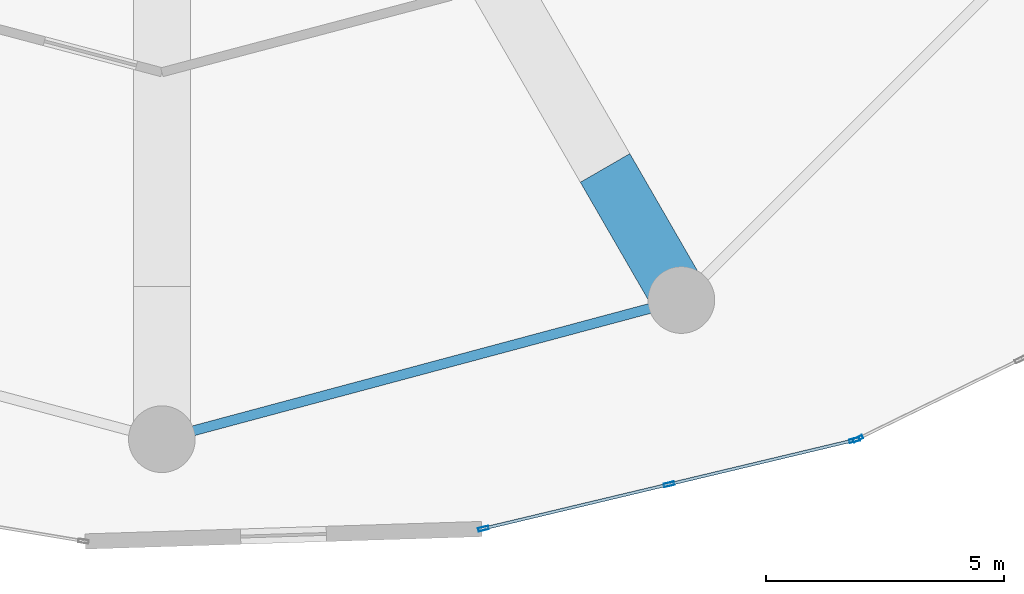
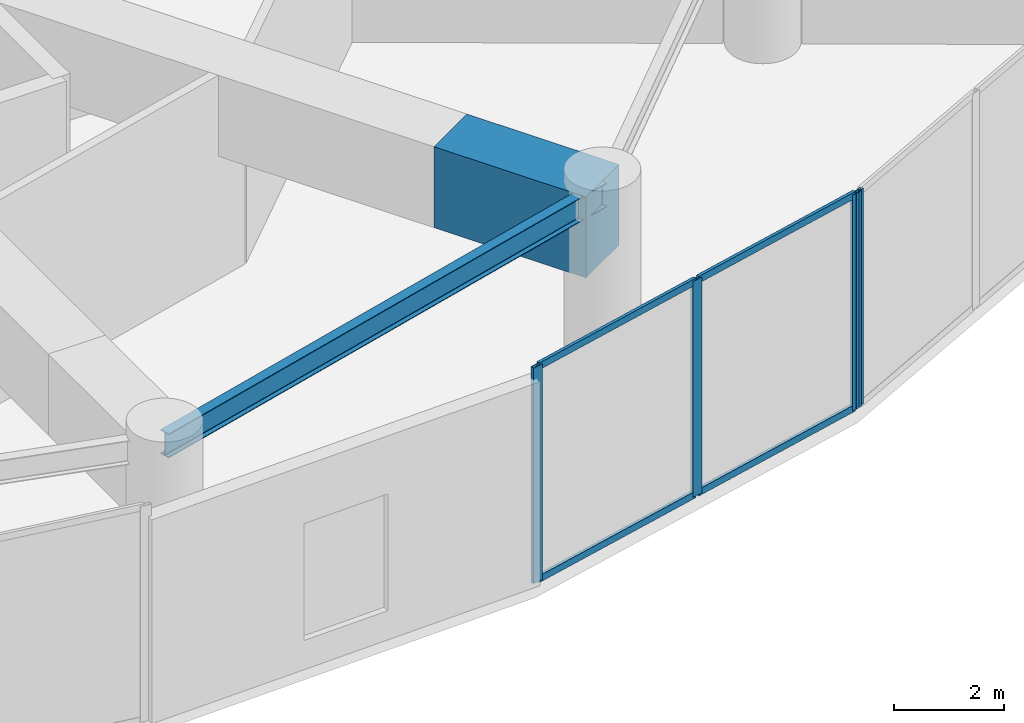
# One storey, part 9 of 27: 8 members, 2 beams, 2 elements without a shape of their own.
"""IFC4 building model written with IfcOpenShell, lengths in metres."""

from ifc_helpers import new_model, si_unit, direction, frame, origin, origin_2d, place, context, subcontext, project, spatial, rectangle, hollow_rectangle, i_section, extrude, source, transform, mapped, material, layer, layer_set, material_profile, profile_set, type_object, element, aggregate, save


model = new_model("IFC4")

# Units and contexts
model_context = context("Model", 3, precision=1e-05, world=origin(), true_north=direction((0.0, 1.0)))
body_context = subcontext(model_context, "Body", "Model", "MODEL_VIEW")
ifc_project = project(units=[si_unit("LENGTHUNIT", "METRE"), si_unit("AREAUNIT", "SQUARE_METRE"), si_unit("VOLUMEUNIT", "CUBIC_METRE"), si_unit("PLANEANGLEUNIT", "RADIAN"), si_unit("MASSUNIT", "GRAM", prefix="KILO")], contexts=[model_context])

# Site, building, storey
site_placement = place(None, origin())
site = spatial("IfcSite", under=ifc_project, at=site_placement, CompositionType="ELEMENT")
building_placement = place(site_placement, origin())
building = spatial("IfcBuilding", under=site, at=building_placement, Name="Solvirekh Grand Hotel", CompositionType="ELEMENT")
storey_placement = place(building_placement, frame((0.0, 0.0, 23.60009765625)))
storey = spatial("IfcBuildingStorey", under=building, at=storey_placement, Name="L04", CompositionType="ELEMENT", Elevation=23.60009765625)

# Beams
ifc_material_1 = material(Name="Steel S355", Category="steel")
ifc_material_profile_1 = material_profile(ifc_material_1, i_section(OverallWidth=0.208984375, OverallDepth=0.532958984375, WebThickness=0.010009765625, FlangeThickness=0.014892578125, FilletRadius=0.013916015625, at=origin_2d()), Name="W530X92")
ifc_profile_set_1 = profile_set([ifc_material_profile_1], Name="Steel S355")
beam_type_1 = type_object("IfcBeamType", Name="Spandrel_Ring_W530", PredefinedType="SPANDREL", material=ifc_profile_set_1)
beam_1_placement = place(storey_placement, frame((0.0, -21.800048828125, 4.27294921875), z_axis=(0.965914248703, 0.258862249378, 0.0), x_axis=(-0.258862249378, 0.965914248703, 0.0)))
element("IfcBeam", 1, at=beam_1_placement, inside=storey, type_object=beam_type_1, Name="L04 perimeter spandrel beam 10", PredefinedType="SPANDREL", context=body_context, shape_type="SweptSolid", body=[
    extrude(i_section(OverallWidth=0.208984375, OverallDepth=0.532958984375, WebThickness=0.010009765625, FlangeThickness=0.014892578125, FilletRadius=0.013916015625, at=origin_2d()), origin(), (0.0, 0.0, 1.0), 11.284423828125),
])
ifc_material_2 = material(Name="Concrete C60/75", Category="concrete")
ifc_material_profile_2 = material_profile(ifc_material_2, rectangle(XDim=1.199951171875, YDim=1.800048828125, at=origin_2d()), Name="RC GIRDER 1200X1800")
ifc_profile_set_2 = profile_set([ifc_material_profile_2], Name="Concrete C60/75")
beam_type_2 = type_object("IfcBeamType", Name="TransferGirder_RC1800", PredefinedType="USERDEFINED", material=ifc_profile_set_2)
beam_2_placement = place(storey_placement, frame((9.300048828125, -16.10791015625, 3.639892578125), z_axis=(0.50000426018, -0.866022944154, 0.0), x_axis=(0.866022944154, 0.50000426018, 0.0)))
element("IfcBeam", 2, at=beam_2_placement, inside=storey, type_object=beam_type_2, Name="L04 outer radial transfer girder 11B", ObjectType="TRANSFER GIRDER", PredefinedType="USERDEFINED", context=body_context, shape_type="SweptSolid", body=[
    extrude(rectangle(XDim=1.199951171875, YDim=1.800048828125, at=origin_2d()), origin(), (0.0, 0.0, 1.0), 3.19970703125),
])

# Curtain wall, members
ifc_material_3 = material(Name="Anodized Bronze Aluminium 6063-T6", Category="aluminium")
ifc_layer = layer(ifc_material_3, 0.219970703125)
ifc_layer_set = layer_set([ifc_layer], Name="Anodized Bronze Aluminium 6063-T6")
curtain_wall_type = type_object("IfcCurtainWallType", Name="CW_Sys1_PodiumBronzeUnitised", PredefinedType="NOTDEFINED", material=ifc_layer_set)
curtain_wall_1_placement = place(storey_placement, origin())
curtain_wall_1 = element("IfcCurtainWall", 3, at=curtain_wall_1_placement, inside=storey, type_object=curtain_wall_type, Name="L04 unitised bronze-glass curtain wall CW-L04-C20", PredefinedType="NOTDEFINED")
ifc_material_profile_3 = material_profile(ifc_material_3, hollow_rectangle(XDim=0.06494140625, YDim=0.14990234375, WallThickness=0.0048828125, at=origin_2d()), Name="ALU RHS 150X65X5")
ifc_profile_set_3 = profile_set([ifc_material_profile_3], Name="Anodized Bronze Aluminium 6063-T6")
member_type_1 = type_object("IfcMemberType", Name="CWTransom_Sys1", PredefinedType="USERDEFINED", material=ifc_profile_set_3)
shared_shape_1 = source(origin(), body_context, "Body", "SweptSolid", [
    extrude(hollow_rectangle(XDim=0.06494140625, YDim=0.14990234375, WallThickness=0.0048828125, at=origin_2d()), origin(), (0.0, 0.0, 1.0), 3.92822265625),
])
member_1_placement = place(storey_placement, frame((6.783935546875, -23.66748046875, 0.032470703125), z_axis=(0.972686054786, 0.23212461917, 0.0), x_axis=(-0.23212461917, 0.972686054786, 0.0)))
member_1 = element("IfcMember", 4, at=member_1_placement, type_object=member_type_1, Name="U01 transom 1.1", ObjectType="TRANSOM", PredefinedType="USERDEFINED", context=body_context, shape_type="MappedRepresentation", body=[
    mapped(shared_shape_1, transform((0.0, 0.0, 0.0), x_axis=(1.0, 0.0, 0.0), y_axis=(0.0, 1.0, 0.0), z_axis=(0.0, 0.0, 1.0), scale=1.0)),
])
member_2_placement = place(storey_placement, frame((6.783935546875, -23.66748046875, 4.767333984375), z_axis=(0.972686054786, 0.23212461917, 0.0), x_axis=(-0.23212461917, 0.972686054786, 0.0)))
member_2 = element("IfcMember", 5, at=member_2_placement, type_object=member_type_1, Name="U01 transom 1.2", ObjectType="TRANSOM", PredefinedType="USERDEFINED", context=body_context, shape_type="MappedRepresentation", body=[
    mapped(shared_shape_1, transform((0.0, 0.0, 0.0), x_axis=(1.0, 0.0, 0.0), y_axis=(0.0, 1.0, 0.0), z_axis=(0.0, 0.0, 1.0), scale=1.0)),
])
member_3_placement = place(storey_placement, frame((10.677978515625, -22.73828125, 0.032470703125), z_axis=(0.972686054786, 0.23212461917, 0.0), x_axis=(-0.23212461917, 0.972686054786, 0.0)))
member_3 = element("IfcMember", 6, at=member_3_placement, type_object=member_type_1, Name="U01 transom 2.1", ObjectType="TRANSOM", PredefinedType="USERDEFINED", context=body_context, shape_type="MappedRepresentation", body=[
    mapped(shared_shape_1, transform((0.0, 0.0, 0.0), x_axis=(1.0, 0.0, 0.0), y_axis=(0.0, 1.0, 0.0), z_axis=(0.0, 0.0, 1.0), scale=1.0)),
])
member_4_placement = place(storey_placement, frame((10.677978515625, -22.73828125, 4.767333984375), z_axis=(0.972686054786, 0.23212461917, 0.0), x_axis=(-0.23212461917, 0.972686054786, 0.0)))
member_4 = element("IfcMember", 7, at=member_4_placement, type_object=member_type_1, Name="U01 transom 2.2", ObjectType="TRANSOM", PredefinedType="USERDEFINED", context=body_context, shape_type="MappedRepresentation", body=[
    mapped(shared_shape_1, transform((0.0, 0.0, 0.0), x_axis=(1.0, 0.0, 0.0), y_axis=(0.0, 1.0, 0.0), z_axis=(0.0, 0.0, 1.0), scale=1.0)),
])
ifc_material_profile_4 = material_profile(ifc_material_3, hollow_rectangle(XDim=0.074951171875, YDim=0.219970703125, WallThickness=0.006103515625, at=origin_2d()), Name="ALU RHS 220X75X6")
ifc_profile_set_4 = profile_set([ifc_material_profile_4], Name="Anodized Bronze Aluminium 6063-T6")
member_type_2 = type_object("IfcMemberType", Name="CWMullion_Sys1", PredefinedType="MULLION", material=ifc_profile_set_4)
shared_shape_2 = source(origin(), body_context, "Body", "SweptSolid", [
    extrude(hollow_rectangle(XDim=0.074951171875, YDim=0.219970703125, WallThickness=0.006103515625, at=origin_2d()), origin(), (0.0, 0.0, 1.0), 4.7998046875),
])
member_5_placement = place(storey_placement, frame((6.74755859375, -23.67626953125, 0.0), z_axis=(0.0, 0.0, 1.0), x_axis=(-0.232127917823, 0.97268526758, 0.0)))
member_5 = element("IfcMember", 8, at=member_5_placement, type_object=member_type_2, Name="U01 mullion 1", PredefinedType="MULLION", context=body_context, shape_type="MappedRepresentation", body=[
    mapped(shared_shape_2, transform((0.0, 0.0, 0.0), x_axis=(1.0, 0.0, 0.0), y_axis=(0.0, 1.0, 0.0), z_axis=(0.0, 0.0, 1.0), scale=1.0)),
])
member_6_placement = place(storey_placement, frame((10.6416015625, -22.7470703125, 0.0), z_axis=(0.0, 0.0, 1.0), x_axis=(-0.232127917823, 0.97268526758, 0.0)))
member_6 = element("IfcMember", 9, at=member_6_placement, type_object=member_type_2, Name="U01 mullion 2", PredefinedType="MULLION", context=body_context, shape_type="MappedRepresentation", body=[
    mapped(shared_shape_2, transform((0.0, 0.0, 0.0), x_axis=(1.0, 0.0, 0.0), y_axis=(0.0, 1.0, 0.0), z_axis=(0.0, 0.0, 1.0), scale=1.0)),
])
member_7_placement = place(storey_placement, frame((14.53564453125, -21.817626953125, 0.0), z_axis=(0.0, 0.0, 1.0), x_axis=(-0.232127917823, 0.97268526758, 0.0)))
member_7 = element("IfcMember", 10, at=member_7_placement, type_object=member_type_2, Name="U01 mullion 3", PredefinedType="MULLION", context=body_context, shape_type="MappedRepresentation", body=[
    mapped(shared_shape_2, transform((0.0, 0.0, 0.0), x_axis=(1.0, 0.0, 0.0), y_axis=(0.0, 1.0, 0.0), z_axis=(0.0, 0.0, 1.0), scale=1.0)),
])
aggregate(curtain_wall_1, [member_5, member_6, member_7, member_1, member_2, member_3, member_4])

# Curtain wall, member
curtain_wall_2_placement = place(storey_placement, origin())
curtain_wall_2 = element("IfcCurtainWall", 11, at=curtain_wall_2_placement, inside=storey, type_object=curtain_wall_type, Name="L04 unitised bronze-glass curtain wall CW-L04-C21", PredefinedType="NOTDEFINED")
member_8_placement = place(storey_placement, frame((14.605712890625, -21.79248046875, 0.0), z_axis=(0.0, 0.0, 1.0), x_axis=(-0.439559598928, 0.898213426192, 0.0)))
member_8 = element("IfcMember", 12, at=member_8_placement, type_object=member_type_2, Name="U01 mullion 1", PredefinedType="MULLION", context=body_context, shape_type="MappedRepresentation", body=[
    mapped(shared_shape_2, transform((0.0, 0.0, 0.0), x_axis=(1.0, 0.0, 0.0), y_axis=(0.0, 1.0, 0.0), z_axis=(0.0, 0.0, 1.0), scale=1.0)),
])
aggregate(curtain_wall_2, [member_8])

save(model, "model.ifc")
